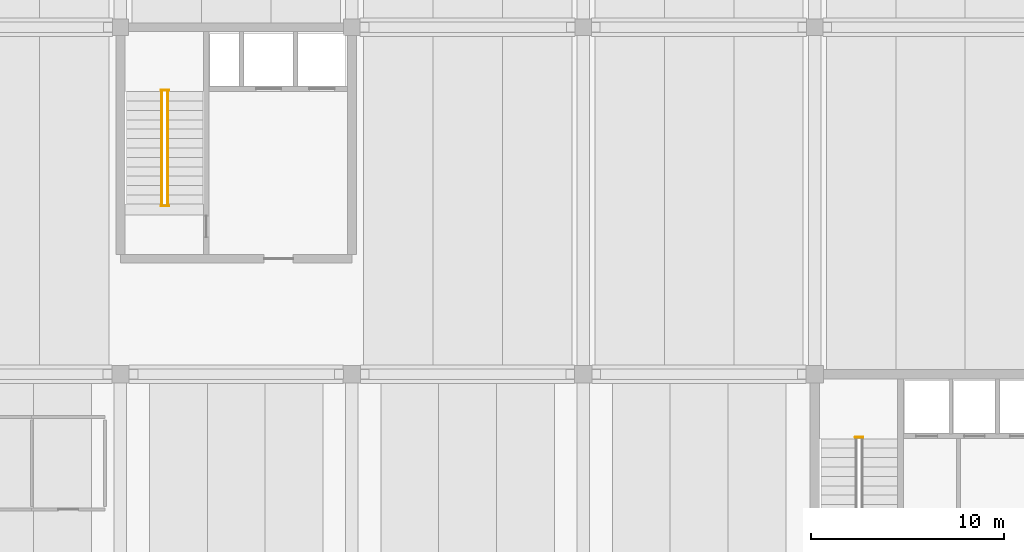
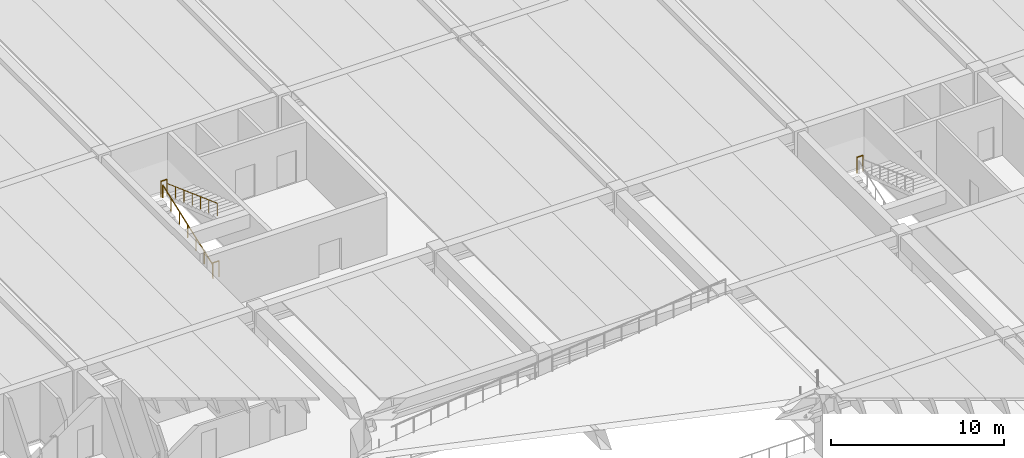
# One storey, part 49 of 50: 5 railings.
"""IFC4 building model written with IfcOpenShell, lengths in metres."""

import ifcopenshell
import ifcopenshell.guid

model = None  # the IFC model being written
_history = None  # IfcOwnerHistory: only IFC2X3 demands one
_inside = {}  # id of a spatial element -> (the spatial element, [elements in it])
_under = {}  # id of a project, library or spatial element -> (it, [spatial elements below it])
_declared = {}  # id of a project -> (the project, [libraries it declares])
_typed = {}  # id of a type object -> (the type object, [elements of that type])
_made_of = {}  # id of a material, layer set ... -> (it, [elements and type objects made of it])


def new_model(schema):
    """Start an empty IFC model of exactly this schema.

    Asked for "IFC4X3", IfcOpenShell would pick the latest addendum, in which some entities
    have other attributes; the version numbers below select the first issue.
    IFC2X3 requires an IfcOwnerHistory on every rooted entity: one is made here for all.
    """
    global model, _history
    if schema == "IFC4X3":
        model = ifcopenshell.file(schema_version=(4, 3, 0, 0))
    else:
        model = ifcopenshell.file(schema=schema)
    _inside.clear()
    _under.clear()
    _declared.clear()
    _typed.clear()
    _made_of.clear()
    _history = None
    if model.schema == "IFC2X3":
        org = make("IfcOrganization", Name="unknown")
        user = make(
            "IfcPersonAndOrganization",
            ThePerson=make("IfcPerson", FamilyName="unknown"),
            TheOrganization=org,
        )
        app = make(
            "IfcApplication",
            ApplicationDeveloper=org,
            Version="unknown",
            ApplicationFullName="unknown",
            ApplicationIdentifier="unknown",
        )
        _history = make(
            "IfcOwnerHistory",
            OwningUser=user,
            OwningApplication=app,
            ChangeAction="ADDED",
            CreationDate=0,
        )
    return model


def make(cls, **values):
    """One entity of the class cls with the attributes given. An attribute that is None is left unset."""
    return model.create_entity(
        cls, **{name: value for name, value in values.items() if value is not None}
    )


def rooted(cls, **values):
    """An entity with a GlobalId (a new one), such as an element, a storey or a relation."""
    return make(cls, GlobalId=ifcopenshell.guid.new(), OwnerHistory=_history, **values)


def si_unit(unit_type, name, prefix=None):
    """IfcSIUnit, for example si_unit("LENGTHUNIT", "METRE", prefix="MILLI")."""
    return make("IfcSIUnit", UnitType=unit_type, Prefix=prefix, Name=name)


def assignment(units):
    """IfcUnitAssignment: the units of a project."""
    return None if units is None else make("IfcUnitAssignment", Units=units)


def point(xyz):
    """IfcCartesianPoint."""
    return None if xyz is None else make("IfcCartesianPoint", Coordinates=xyz)


def direction(xyz):
    """IfcDirection."""
    return None if xyz is None else make("IfcDirection", DirectionRatios=xyz)


def frame(location, z_axis=None, x_axis=None):
    """IfcAxis2Placement3D, a coordinate frame: its origin and axes. An axis left out is left unset."""
    return make(
        "IfcAxis2Placement3D",
        Location=point(location),
        Axis=direction(z_axis),
        RefDirection=direction(x_axis),
    )


def frame_2d(location, x_axis=None):
    """IfcAxis2Placement2D, a coordinate frame in the plane: its origin and x axis."""
    return make(
        "IfcAxis2Placement2D", Location=point(location), RefDirection=direction(x_axis)
    )


def origin():
    """The frame at (0, 0, 0) with its axes left unset."""
    return frame((0.0, 0.0, 0.0))


def origin_2d():
    """The frame at (0, 0) in the plane with its x axis left unset."""
    return frame_2d((0.0, 0.0))


def place(relative_to, where):
    """IfcLocalPlacement: puts the frame where relative to a parent placement (None: the world)."""
    return make(
        "IfcLocalPlacement", PlacementRelTo=relative_to, RelativePlacement=where
    )


def context(
    kind, dimensions, precision=None, world=None, true_north=None, identifier=None
):
    """IfcGeometricRepresentationContext, for example the 3D "Model" context."""
    return make(
        "IfcGeometricRepresentationContext",
        ContextIdentifier=identifier,
        ContextType=kind,
        CoordinateSpaceDimension=dimensions,
        Precision=precision,
        WorldCoordinateSystem=world,
        TrueNorth=true_north,
    )


def subcontext(parent, identifier, kind, view, scale=None):
    """IfcGeometricRepresentationSubContext, for example "Body" below "Model"."""
    return make(
        "IfcGeometricRepresentationSubContext",
        ContextIdentifier=identifier,
        ContextType=kind,
        ParentContext=parent,
        TargetScale=scale,
        TargetView=view,
    )


def project(units=None, contexts=None):
    """IfcProject with its units and contexts."""
    return rooted(
        "IfcProject",
        Name="project",
        RepresentationContexts=contexts,
        UnitsInContext=assignment(units),
    )


def spatial(cls, under=None, at=None, **own):
    """A site, building, storey or space (cls), placed at a placement, below another one or the project."""
    s = rooted(cls, ObjectPlacement=at, **own)
    if under is not None:
        _under.setdefault(under.id(), (under, []))[1].append(s)
    return s


def profile(cls, at=None, kind="AREA", **sizes):
    """A parametric profile (cls). Its sizes go by their IFC names, for example OverallWidth=200.0."""
    return make(cls, ProfileType=kind, Position=at, **sizes)


def circle(**sizes):
    """IfcCircleProfileDef."""
    return profile("IfcCircleProfileDef", **sizes)


def extrude(swept, where, along, depth):
    """IfcExtrudedAreaSolid: the profile swept, set in the frame where, extruded along a direction by depth."""
    return make(
        "IfcExtrudedAreaSolid",
        SweptArea=swept,
        Position=where,
        ExtrudedDirection=direction(along),
        Depth=depth,
    )


def shape(context_of_items, identifier, shape_type, items):
    """IfcShapeRepresentation: the items that make up one representation, for example the "Body"."""
    return make(
        "IfcShapeRepresentation",
        ContextOfItems=context_of_items,
        RepresentationIdentifier=identifier,
        RepresentationType=shape_type,
        Items=items,
    )


def material(Name=None, Category=None):
    """IfcMaterial."""
    return make("IfcMaterial", Name=Name, Category=Category)


def layer(
    of_material, thickness, ventilated=None, Name=None, Category=None, Priority=None
):
    """IfcMaterialLayer: one layer of a wall or slab, of a material (None: an air gap)."""
    return make(
        "IfcMaterialLayer",
        Material=of_material,
        LayerThickness=thickness,
        IsVentilated=ventilated,
        Name=Name,
        Category=Category,
        Priority=Priority,
    )


def layer_set(layers, Name=None):
    """IfcMaterialLayerSet."""
    return make("IfcMaterialLayerSet", MaterialLayers=layers, LayerSetName=Name)


def made_of(thing, what):
    """Note that an element or type object is made of a material, layer set ...; save() writes the relation."""
    if what is not None:
        _made_of.setdefault(what.id(), (what, []))[1].append(thing)
    return thing


def type_object(cls, material=None, **own):
    """A type object (cls), such as IfcWallType, which elements share."""
    return made_of(rooted(cls, **own), material)


def element(
    cls,
    number,
    at=None,
    inside=None,
    cuts=None,
    type_object=None,
    material=None,
    context=None,
    identifier="Body",
    shape_type=None,
    held_by="IfcProductDefinitionShape",
    body=None,
    shapes=None,
    **own,
):
    """One element of the class cls, such as IfcWall. Its Tag is "e" and its number.

    at: its placement. inside: the storey or other place that contains it. cuts: it is an
    opening in that element (IfcRelVoidsElement). A single representation is given by context,
    identifier, shape_type and body (its items); several are given by shapes. held_by: the class
    of the entity that holds the representations. save() writes the other relations.
    """
    e = rooted(cls, Tag="e%d" % number, ObjectPlacement=at, **own)
    if body is not None:
        shapes = [shape(context, identifier, shape_type, body)]
    if shapes is not None:
        e.Representation = make(held_by, Representations=shapes)
    if inside is not None:
        _inside.setdefault(inside.id(), (inside, []))[1].append(e)
    if cuts is not None:
        rooted(
            "IfcRelVoidsElement", RelatingBuildingElement=cuts, RelatedOpeningElement=e
        )
    if type_object is not None:
        _typed.setdefault(type_object.id(), (type_object, []))[1].append(e)
    return made_of(e, material)


def aggregate(whole, parts):
    """IfcRelAggregates: a whole, such as a stair, and the parts it consists of."""
    return rooted("IfcRelAggregates", RelatingObject=whole, RelatedObjects=parts)


def save(model, path):
    """Write the relations noted so far, then the file.

    IfcRelAggregates (storeys below a building ...), IfcRelContainedInSpatialStructure (elements
    in a storey), IfcRelDefinesByType, IfcRelAssociatesMaterial and IfcRelDeclares: one each for
    every whole, place, type object, material and project.
    """
    for whole, parts in _under.values():
        aggregate(whole, parts)
    for where, things in _inside.values():
        rooted(
            "IfcRelContainedInSpatialStructure",
            RelatedElements=things,
            RelatingStructure=where,
        )
    for kind, things in _typed.values():
        rooted("IfcRelDefinesByType", RelatedObjects=things, RelatingType=kind)
    for what, things in _made_of.values():
        rooted("IfcRelAssociatesMaterial", RelatedObjects=things, RelatingMaterial=what)
    for by, libraries in _declared.values():
        rooted("IfcRelDeclares", RelatingContext=by, RelatedDefinitions=libraries)
    model.write(path)


model = new_model("IFC4")

# Units and contexts
model_context = context("Model", 3, precision=1e-05, world=origin(), true_north=direction((0.0, 1.0)))
body_context = subcontext(model_context, "Body", "Model", "MODEL_VIEW")
ifc_project = project(units=[si_unit("LENGTHUNIT", "METRE"), si_unit("AREAUNIT", "SQUARE_METRE"), si_unit("VOLUMEUNIT", "CUBIC_METRE"), si_unit("PLANEANGLEUNIT", "RADIAN"), si_unit("MASSUNIT", "GRAM", prefix="KILO")], contexts=[model_context])

# Site, building, storey
site_placement = place(None, origin())
site = spatial("IfcSite", under=ifc_project, at=site_placement, CompositionType="ELEMENT")
building_placement = place(site_placement, origin())
building = spatial("IfcBuilding", under=site, at=building_placement, Name="Girod Span Mobility Hub", CompositionType="ELEMENT")
storey_placement = place(building_placement, frame((0.0, 0.0, 5.39990234375)))
storey = spatial("IfcBuildingStorey", under=building, at=storey_placement, Name="L01", CompositionType="ELEMENT", Elevation=5.39990234375)

# Railings
ifc_material_1 = material(Name="Painted Galvanised Steel", Category="steel")
ifc_layer_1 = layer(ifc_material_1, 0.06494140625)
ifc_layer_set_1 = layer_set([ifc_layer_1], Name="Painted Galvanised Steel")
railing_type_1 = type_object("IfcRailingType", Name="RL-GRD-1120", PredefinedType="GUARDRAIL", material=ifc_layer_set_1)
for number, where, name in (
    (1, (110.10009765625, 65.739990234375, 2.10009765625), "Stair ST-2 Half-Landing Well Guard L01"),
    (2, (74.10009765625, 83.739990234375, 2.10009765625), "Stair ST-4 Half-Landing Well Guard L01"),
    (3, (74.10009765625, 77.72998046875, 0.0), "Stair ST-4 Landing Well Guard L01"),
):
    element("IfcRailing", number, at=place(storey_placement, frame(where)), inside=storey, type_object=railing_type_1, Name=name, PredefinedType="GUARDRAIL", context=body_context, shape_type="SweptSolid", body=[
        extrude(circle(Radius=0.02392578125, at=origin_2d()), frame((0.0, 0.0, 1.09619140625), z_axis=(1.0, 0.0, 0.0), x_axis=(0.0, 1.0, 0.0)), (0.0, 0.0, 1.0), 0.39990234375),
        extrude(circle(Radius=0.02099609375, at=origin_2d()), origin(), (0.0, 0.0, 1.0), 1.072021484375),
        extrude(circle(Radius=0.02099609375, at=origin_2d()), frame((0.39990234375, 0.0, 0.0)), (0.0, 0.0, 1.0), 1.072021484375),
    ])
ifc_material_2 = material(Name="Painted Galvanised Steel", Category="steel")
ifc_layer_2 = layer(ifc_material_2, 0.050048828125)
ifc_layer_set_2 = layer_set([ifc_layer_2], Name="Painted Galvanised Steel")
railing_type_2 = type_object("IfcRailingType", Name="RL-HR-920", PredefinedType="HANDRAIL", material=ifc_layer_set_2)
railing_1_placement = place(storey_placement, frame((74.14990234375, 77.860107421875, 0.0)))
element("IfcRailing", 4, at=railing_1_placement, inside=storey, type_object=railing_type_2, Name="Stair ST-4 Flight 1 Handrail L01", PredefinedType="HANDRAIL", context=body_context, shape_type="SweptSolid", body=[
    extrude(circle(Radius=0.02392578125, at=origin_2d()), frame((0.0, 0.0, 0.89599609375), z_axis=(0.0, 0.939310406204, 0.343068449141), x_axis=(-1.0, 0.0, 0.0)), (0.0, 0.0, 1.0), 6.12158203125),
    extrude(circle(Radius=0.02099609375, at=origin_2d()), origin(), (0.0, 0.0, 1.0), 0.871826171875),
    extrude(circle(Radius=0.02099609375, at=origin_2d()), frame((0.0, 0.958251953125, 0.35009765625)), (0.0, 0.0, 1.0), 0.871826171875),
    extrude(circle(Radius=0.02099609375, at=origin_2d()), frame((0.0, 1.916748046875, 0.699951171875)), (0.0, 0.0, 1.0), 0.871826171875),
    extrude(circle(Radius=0.02099609375, at=origin_2d()), frame((0.0, 2.875, 1.050048828125)), (0.0, 0.0, 1.0), 0.871826171875),
    extrude(circle(Radius=0.02099609375, at=origin_2d()), frame((0.0, 3.833251953125, 1.400146484375)), (0.0, 0.0, 1.0), 0.871826171875),
    extrude(circle(Radius=0.02099609375, at=origin_2d()), frame((0.0, 4.791748046875, 1.75)), (0.0, 0.0, 1.0), 0.871826171875),
    extrude(circle(Radius=0.02099609375, at=origin_2d()), frame((0.0, 5.75, 2.10009765625)), (0.0, 0.0, 1.0), 0.871826171875),
])
railing_2_placement = place(storey_placement, frame((74.449951171875, 83.610107421875, 2.10009765625)))
element("IfcRailing", 5, at=railing_2_placement, inside=storey, type_object=railing_type_2, Name="Stair ST-4 Flight 2 Handrail L01", PredefinedType="HANDRAIL", context=body_context, shape_type="SweptSolid", body=[
    extrude(circle(Radius=0.02392578125, at=origin_2d()), frame((0.0, 0.0, 0.89599609375), z_axis=(0.0, -0.939310406204, 0.343068449141), x_axis=(1.0, 0.0, 0.0)), (0.0, 0.0, 1.0), 6.12158203125),
    extrude(circle(Radius=0.02099609375, at=origin_2d()), origin(), (0.0, 0.0, 1.0), 0.871826171875),
    extrude(circle(Radius=0.02099609375, at=origin_2d()), frame((0.0, -0.958251953125, 0.35009765625)), (0.0, 0.0, 1.0), 0.871826171875),
    extrude(circle(Radius=0.02099609375, at=origin_2d()), frame((0.0, -1.916748046875, 0.699951171875)), (0.0, 0.0, 1.0), 0.871826171875),
    extrude(circle(Radius=0.02099609375, at=origin_2d()), frame((0.0, -2.875, 1.050048828125)), (0.0, 0.0, 1.0), 0.871826171875),
    extrude(circle(Radius=0.02099609375, at=origin_2d()), frame((0.0, -3.833251953125, 1.400146484375)), (0.0, 0.0, 1.0), 0.871826171875),
    extrude(circle(Radius=0.02099609375, at=origin_2d()), frame((0.0, -4.791748046875, 1.75)), (0.0, 0.0, 1.0), 0.871826171875),
    extrude(circle(Radius=0.02099609375, at=origin_2d()), frame((0.0, -5.75, 2.10009765625)), (0.0, 0.0, 1.0), 0.871826171875),
])

save(model, "model.ifc")
